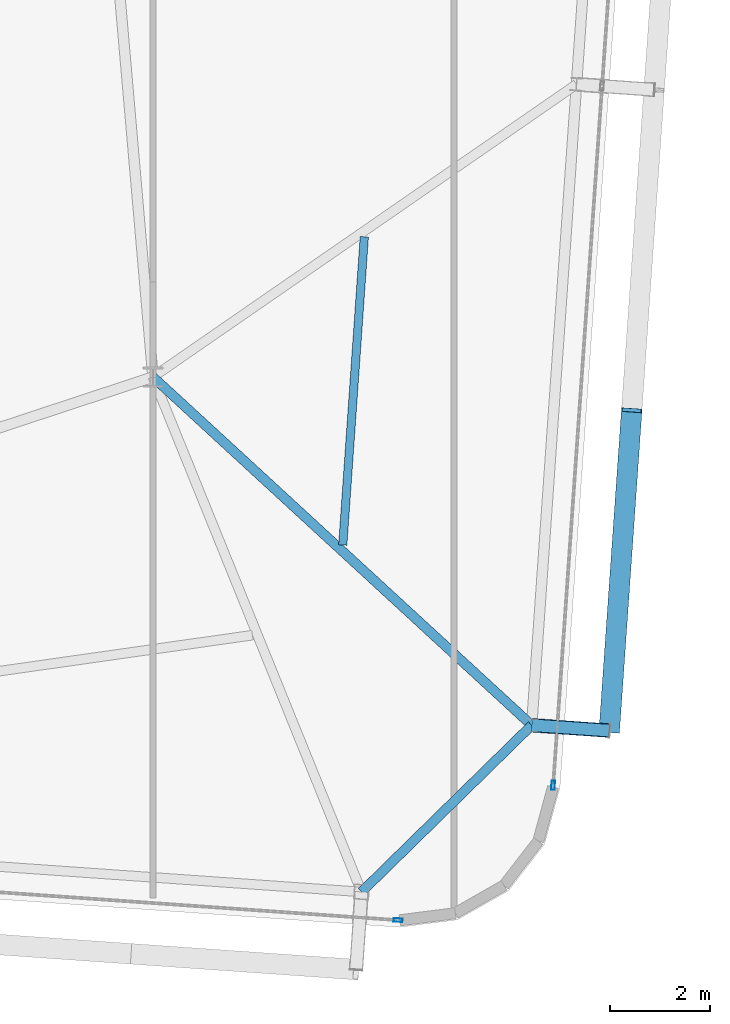
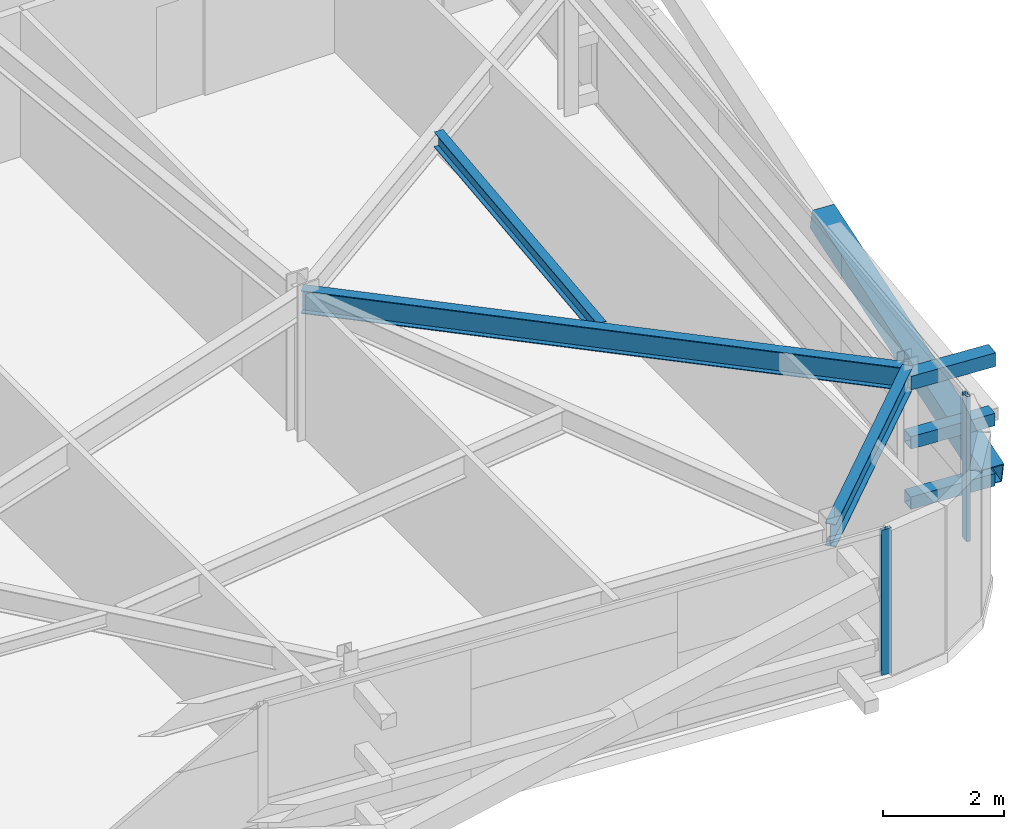
# One storey, part 15 of 39: 6 members, 3 beams, 2 elements without a shape of their own.
"""IFC4 building model written with IfcOpenShell, lengths in metres."""

import ifcopenshell
import ifcopenshell.guid

model = None  # the IFC model being written
_history = None  # IfcOwnerHistory: only IFC2X3 demands one
_inside = {}  # id of a spatial element -> (the spatial element, [elements in it])
_under = {}  # id of a project, library or spatial element -> (it, [spatial elements below it])
_declared = {}  # id of a project -> (the project, [libraries it declares])
_typed = {}  # id of a type object -> (the type object, [elements of that type])
_made_of = {}  # id of a material, layer set ... -> (it, [elements and type objects made of it])


def new_model(schema):
    """Start an empty IFC model of exactly this schema.

    Asked for "IFC4X3", IfcOpenShell would pick the latest addendum, in which some entities
    have other attributes; the version numbers below select the first issue.
    IFC2X3 requires an IfcOwnerHistory on every rooted entity: one is made here for all.
    """
    global model, _history
    if schema == "IFC4X3":
        model = ifcopenshell.file(schema_version=(4, 3, 0, 0))
    else:
        model = ifcopenshell.file(schema=schema)
    _inside.clear()
    _under.clear()
    _declared.clear()
    _typed.clear()
    _made_of.clear()
    _history = None
    if model.schema == "IFC2X3":
        org = make("IfcOrganization", Name="unknown")
        user = make(
            "IfcPersonAndOrganization",
            ThePerson=make("IfcPerson", FamilyName="unknown"),
            TheOrganization=org,
        )
        app = make(
            "IfcApplication",
            ApplicationDeveloper=org,
            Version="unknown",
            ApplicationFullName="unknown",
            ApplicationIdentifier="unknown",
        )
        _history = make(
            "IfcOwnerHistory",
            OwningUser=user,
            OwningApplication=app,
            ChangeAction="ADDED",
            CreationDate=0,
        )
    return model


def make(cls, **values):
    """One entity of the class cls with the attributes given. An attribute that is None is left unset."""
    return model.create_entity(
        cls, **{name: value for name, value in values.items() if value is not None}
    )


def rooted(cls, **values):
    """An entity with a GlobalId (a new one), such as an element, a storey or a relation."""
    return make(cls, GlobalId=ifcopenshell.guid.new(), OwnerHistory=_history, **values)


def si_unit(unit_type, name, prefix=None):
    """IfcSIUnit, for example si_unit("LENGTHUNIT", "METRE", prefix="MILLI")."""
    return make("IfcSIUnit", UnitType=unit_type, Prefix=prefix, Name=name)


def assignment(units):
    """IfcUnitAssignment: the units of a project."""
    return None if units is None else make("IfcUnitAssignment", Units=units)


def point(xyz):
    """IfcCartesianPoint."""
    return None if xyz is None else make("IfcCartesianPoint", Coordinates=xyz)


def direction(xyz):
    """IfcDirection."""
    return None if xyz is None else make("IfcDirection", DirectionRatios=xyz)


def frame(location, z_axis=None, x_axis=None):
    """IfcAxis2Placement3D, a coordinate frame: its origin and axes. An axis left out is left unset."""
    return make(
        "IfcAxis2Placement3D",
        Location=point(location),
        Axis=direction(z_axis),
        RefDirection=direction(x_axis),
    )


def frame_2d(location, x_axis=None):
    """IfcAxis2Placement2D, a coordinate frame in the plane: its origin and x axis."""
    return make(
        "IfcAxis2Placement2D", Location=point(location), RefDirection=direction(x_axis)
    )


def origin():
    """The frame at (0, 0, 0) with its axes left unset."""
    return frame((0.0, 0.0, 0.0))


def origin_2d():
    """The frame at (0, 0) in the plane with its x axis left unset."""
    return frame_2d((0.0, 0.0))


def place(relative_to, where):
    """IfcLocalPlacement: puts the frame where relative to a parent placement (None: the world)."""
    return make(
        "IfcLocalPlacement", PlacementRelTo=relative_to, RelativePlacement=where
    )


def context(
    kind, dimensions, precision=None, world=None, true_north=None, identifier=None
):
    """IfcGeometricRepresentationContext, for example the 3D "Model" context."""
    return make(
        "IfcGeometricRepresentationContext",
        ContextIdentifier=identifier,
        ContextType=kind,
        CoordinateSpaceDimension=dimensions,
        Precision=precision,
        WorldCoordinateSystem=world,
        TrueNorth=true_north,
    )


def subcontext(parent, identifier, kind, view, scale=None):
    """IfcGeometricRepresentationSubContext, for example "Body" below "Model"."""
    return make(
        "IfcGeometricRepresentationSubContext",
        ContextIdentifier=identifier,
        ContextType=kind,
        ParentContext=parent,
        TargetScale=scale,
        TargetView=view,
    )


def project(units=None, contexts=None):
    """IfcProject with its units and contexts."""
    return rooted(
        "IfcProject",
        Name="project",
        RepresentationContexts=contexts,
        UnitsInContext=assignment(units),
    )


def spatial(cls, under=None, at=None, **own):
    """A site, building, storey or space (cls), placed at a placement, below another one or the project."""
    s = rooted(cls, ObjectPlacement=at, **own)
    if under is not None:
        _under.setdefault(under.id(), (under, []))[1].append(s)
    return s


def profile(cls, at=None, kind="AREA", **sizes):
    """A parametric profile (cls). Its sizes go by their IFC names, for example OverallWidth=200.0."""
    return make(cls, ProfileType=kind, Position=at, **sizes)


def hollow_rectangle(**sizes):
    """IfcRectangleHollowProfileDef."""
    return profile("IfcRectangleHollowProfileDef", **sizes)


def i_section(**sizes):
    """IfcIShapeProfileDef."""
    return profile("IfcIShapeProfileDef", **sizes)


def extrude(swept, where, along, depth):
    """IfcExtrudedAreaSolid: the profile swept, set in the frame where, extruded along a direction by depth."""
    return make(
        "IfcExtrudedAreaSolid",
        SweptArea=swept,
        Position=where,
        ExtrudedDirection=direction(along),
        Depth=depth,
    )


def shape(context_of_items, identifier, shape_type, items):
    """IfcShapeRepresentation: the items that make up one representation, for example the "Body"."""
    return make(
        "IfcShapeRepresentation",
        ContextOfItems=context_of_items,
        RepresentationIdentifier=identifier,
        RepresentationType=shape_type,
        Items=items,
    )


def source(mapping_origin, context_of_items, identifier, shape_type, items):
    """IfcRepresentationMap: a shape defined once, which mapped items show again and again."""
    return make(
        "IfcRepresentationMap",
        MappingOrigin=mapping_origin,
        MappedRepresentation=shape(context_of_items, identifier, shape_type, items),
    )


def transform(
    local_origin,
    x_axis=None,
    y_axis=None,
    z_axis=None,
    scale=None,
    scale2=None,
    scale3=None,
    uniform=True,
):
    """IfcCartesianTransformationOperator3D, or its non-uniform kind. x_axis, y_axis, z_axis: its Axis1, 2, 3."""
    if uniform:
        return make(
            "IfcCartesianTransformationOperator3D",
            Axis1=direction(x_axis),
            Axis2=direction(y_axis),
            LocalOrigin=point(local_origin),
            Scale=scale,
            Axis3=direction(z_axis),
        )
    return make(
        "IfcCartesianTransformationOperator3DnonUniform",
        Axis1=direction(x_axis),
        Axis2=direction(y_axis),
        LocalOrigin=point(local_origin),
        Scale=scale,
        Axis3=direction(z_axis),
        Scale2=scale2,
        Scale3=scale3,
    )


def mapped(mapping_source, mapping_target):
    """IfcMappedItem: shows the shape of a source again, moved by a transform."""
    return make(
        "IfcMappedItem", MappingSource=mapping_source, MappingTarget=mapping_target
    )


def material(Name=None, Category=None):
    """IfcMaterial."""
    return make("IfcMaterial", Name=Name, Category=Category)


def layer(
    of_material, thickness, ventilated=None, Name=None, Category=None, Priority=None
):
    """IfcMaterialLayer: one layer of a wall or slab, of a material (None: an air gap)."""
    return make(
        "IfcMaterialLayer",
        Material=of_material,
        LayerThickness=thickness,
        IsVentilated=ventilated,
        Name=Name,
        Category=Category,
        Priority=Priority,
    )


def layer_set(layers, Name=None):
    """IfcMaterialLayerSet."""
    return make("IfcMaterialLayerSet", MaterialLayers=layers, LayerSetName=Name)


def material_profile(
    of_material, cross_section, Name=None, Category=None, Priority=None
):
    """IfcMaterialProfile: a cross section and its material."""
    return make(
        "IfcMaterialProfile",
        Name=Name,
        Material=of_material,
        Profile=cross_section,
        Priority=Priority,
        Category=Category,
    )


def profile_set(profiles, Name=None, composite=None):
    """IfcMaterialProfileSet."""
    return make(
        "IfcMaterialProfileSet",
        Name=Name,
        MaterialProfiles=profiles,
        CompositeProfile=composite,
    )


def made_of(thing, what):
    """Note that an element or type object is made of a material, layer set ...; save() writes the relation."""
    if what is not None:
        _made_of.setdefault(what.id(), (what, []))[1].append(thing)
    return thing


def type_object(cls, material=None, **own):
    """A type object (cls), such as IfcWallType, which elements share."""
    return made_of(rooted(cls, **own), material)


def element(
    cls,
    number,
    at=None,
    inside=None,
    cuts=None,
    type_object=None,
    material=None,
    context=None,
    identifier="Body",
    shape_type=None,
    held_by="IfcProductDefinitionShape",
    body=None,
    shapes=None,
    **own,
):
    """One element of the class cls, such as IfcWall. Its Tag is "e" and its number.

    at: its placement. inside: the storey or other place that contains it. cuts: it is an
    opening in that element (IfcRelVoidsElement). A single representation is given by context,
    identifier, shape_type and body (its items); several are given by shapes. held_by: the class
    of the entity that holds the representations. save() writes the other relations.
    """
    e = rooted(cls, Tag="e%d" % number, ObjectPlacement=at, **own)
    if body is not None:
        shapes = [shape(context, identifier, shape_type, body)]
    if shapes is not None:
        e.Representation = make(held_by, Representations=shapes)
    if inside is not None:
        _inside.setdefault(inside.id(), (inside, []))[1].append(e)
    if cuts is not None:
        rooted(
            "IfcRelVoidsElement", RelatingBuildingElement=cuts, RelatedOpeningElement=e
        )
    if type_object is not None:
        _typed.setdefault(type_object.id(), (type_object, []))[1].append(e)
    return made_of(e, material)


def aggregate(whole, parts):
    """IfcRelAggregates: a whole, such as a stair, and the parts it consists of."""
    return rooted("IfcRelAggregates", RelatingObject=whole, RelatedObjects=parts)


def save(model, path):
    """Write the relations noted so far, then the file.

    IfcRelAggregates (storeys below a building ...), IfcRelContainedInSpatialStructure (elements
    in a storey), IfcRelDefinesByType, IfcRelAssociatesMaterial and IfcRelDeclares: one each for
    every whole, place, type object, material and project.
    """
    for whole, parts in _under.values():
        aggregate(whole, parts)
    for where, things in _inside.values():
        rooted(
            "IfcRelContainedInSpatialStructure",
            RelatedElements=things,
            RelatingStructure=where,
        )
    for kind, things in _typed.values():
        rooted("IfcRelDefinesByType", RelatedObjects=things, RelatingType=kind)
    for what, things in _made_of.values():
        rooted("IfcRelAssociatesMaterial", RelatedObjects=things, RelatingMaterial=what)
    for by, libraries in _declared.values():
        rooted("IfcRelDeclares", RelatingContext=by, RelatedDefinitions=libraries)
    model.write(path)


model = new_model("IFC4")

# Units and contexts
model_context = context("Model", 3, precision=1e-05, world=origin(), true_north=direction((0.0, 1.0)))
body_context = subcontext(model_context, "Body", "Model", "MODEL_VIEW")
ifc_project = project(units=[si_unit("LENGTHUNIT", "METRE"), si_unit("AREAUNIT", "SQUARE_METRE"), si_unit("VOLUMEUNIT", "CUBIC_METRE"), si_unit("PLANEANGLEUNIT", "RADIAN"), si_unit("MASSUNIT", "GRAM", prefix="KILO")], contexts=[model_context])

# Site, building, storey
site_placement = place(None, origin())
site = spatial("IfcSite", under=ifc_project, at=site_placement, CompositionType="ELEMENT")
building_placement = place(site_placement, origin())
building = spatial("IfcBuilding", under=site, at=building_placement, Name="Taldren Reach Tower", CompositionType="ELEMENT")
storey_placement = place(building_placement, frame((0.0, 0.0, 120.39990234375)))
storey = spatial("IfcBuildingStorey", under=building, at=storey_placement, Name="L36", CompositionType="ELEMENT", Elevation=120.39990234375)

# Members
ifc_material_1 = material(Name="Steel Gr 450 (C450L0)", Category="steel")
ifc_material_profile_1 = material_profile(ifc_material_1, hollow_rectangle(XDim=0.27490234375, YDim=0.27490234375, WallThickness=0.00927734375, at=origin_2d()), Name="275x275x9.3SHS")
ifc_profile_set_1 = profile_set([ifc_material_profile_1], Name="Steel Gr 450 (C450L0)")
member_type_1 = type_object("IfcMemberType", Name="MB-TIE273", PredefinedType="STRUT", material=ifc_profile_set_1)
shared_shape_1 = source(origin(), body_context, "Body", "SweptSolid", [
    extrude(hollow_rectangle(XDim=0.27490234375, YDim=0.27490234375, WallThickness=0.00927734375, at=origin_2d()), origin(), (0.0, 0.0, 1.0), 1.5498046875),
])
member_1_placement = place(storey_placement, frame((59.54541015625, 5.562744140625, 2.650146484375), z_axis=(0.997573320145, -0.069623781384, 0.0), x_axis=(0.069623781384, 0.997573320145, 0.0)))
element("IfcMember", 1, at=member_1_placement, inside=storey, type_object=member_type_1, Name="Exoskeleton diaphragm tie strut B3-E1 L36", PredefinedType="STRUT", context=body_context, shape_type="MappedRepresentation", body=[
    mapped(shared_shape_1, transform((0.0, 0.0, 0.0), scale=1.0)),
])
ifc_material_2 = material(Name="Steel Gr 350 (C350L0)", Category="steel")
ifc_material_profile_2 = material_profile(ifc_material_2, hollow_rectangle(XDim=0.25, YDim=0.25, WallThickness=0.010009765625, at=origin_2d()), Name="250x250x10.0SHS")
ifc_profile_set_2 = profile_set([ifc_material_profile_2], Name="Steel Gr 350 (C350L0)")
member_type_2 = type_object("IfcMemberType", Name="MB-POST250", PredefinedType="POST", material=ifc_profile_set_2)
shared_shape_2 = source(origin(), body_context, "Body", "SweptSolid", [
    extrude(hollow_rectangle(XDim=0.25, YDim=0.25, WallThickness=0.010009765625, at=origin_2d()), origin(), (0.0, 0.0, 1.0), 1.5498046875),
])
for number, where, z_axis, x_axis, name in (
    (2, (59.54541015625, 5.562744140625, 0.22021484375), (0.997573320145, -0.069623781384, 0.0), (0.069623781384, 0.997573320145, 0.0), "Exoskeleton base diaphragm tie strut B3-E1 L36"),
    (3, (59.54541015625, 5.562744140625, 1.43505859375), (0.997573320145, -0.069623781384, 0.0), (0.069623781384, 0.997573320145, 0.0), "Exoskeleton mid-tier diaphragm tie B3-E1 L36"),
):
    element("IfcMember", number, at=place(storey_placement, frame(where, z_axis=z_axis, x_axis=x_axis)), inside=storey, type_object=member_type_2, Name=name, PredefinedType="POST", context=body_context, shape_type="MappedRepresentation", body=[
        mapped(shared_shape_2, transform((0.0, 0.0, 0.0), scale=1.0)),
    ])

# Beams
ifc_material_3 = material(Name="Steel Gr 350 (350PLUS)", Category="steel")
ifc_material_profile_3 = material_profile(ifc_material_3, i_section(OverallWidth=0.18994140625, OverallDepth=0.4541015625, WebThickness=0.008544921875, FlangeThickness=0.0126953125, at=origin_2d()), Name="460UB67.1")
ifc_profile_set_3 = profile_set([ifc_material_profile_3], Name="Steel Gr 350 (350PLUS)")
beam_type_1 = type_object("IfcBeamType", Name="SP-UB460B", PredefinedType="SPANDREL", material=ifc_profile_set_3)
shared_shape_3 = source(origin(), body_context, "Body", "SweptSolid", [
    extrude(i_section(OverallWidth=0.18994140625, OverallDepth=0.4541015625, WebThickness=0.008544921875, FlangeThickness=0.0126953125, at=origin_2d()), origin(), (0.0, 0.0, 1.0), 4.745849609375),
])
beam_1_placement = place(storey_placement, frame((56.155517578125, 2.2412109375, 2.703125), z_axis=(0.714271982806, 0.699868226581, 0.0), x_axis=(-0.699868226581, 0.714271982806, 0.0)))
element("IfcBeam", 4, at=beam_1_placement, inside=storey, type_object=beam_type_1, Name="Perimeter spandrel B3 S6-E1 L36", PredefinedType="SPANDREL", context=body_context, shape_type="MappedRepresentation", body=[
    mapped(shared_shape_3, transform((0.0, 0.0, 0.0), scale=1.0)),
])
ifc_material_profile_4 = material_profile(ifc_material_3, i_section(OverallWidth=0.19091796875, OverallDepth=0.4599609375, WebThickness=0.010009765625, FlangeThickness=0.01611328125, at=origin_2d()), Name="460UB82.1")
ifc_profile_set_4 = profile_set([ifc_material_profile_4], Name="Steel Gr 350 (350PLUS)")
beam_type_2 = type_object("IfcBeamType", Name="BM-UB460A", PredefinedType="BEAM", material=ifc_profile_set_4)
shared_shape_4 = source(origin(), body_context, "Body", "SweptSolid", [
    extrude(i_section(OverallWidth=0.19091796875, OverallDepth=0.4599609375, WebThickness=0.010009765625, FlangeThickness=0.01611328125, at=origin_2d()), origin(), (0.0, 0.0, 1.0), 10.249755859375),
])
beam_2_placement = place(storey_placement, frame((52.0, 12.5, 2.7001953125), z_axis=(0.736150772628, -0.676817582483, 0.0), x_axis=(0.676817582483, 0.736150772628, 0.0)))
element("IfcBeam", 5, at=beam_2_placement, inside=storey, type_object=beam_type_2, Name="Primary floor girder B3-E1 L36", PredefinedType="BEAM", context=body_context, shape_type="MappedRepresentation", body=[
    mapped(shared_shape_4, transform((0.0, 0.0, 0.0), scale=1.0)),
])
ifc_material_4 = material(Name="Steel Gr 300 (300PLUS, 300 MPa)", Category="steel")
ifc_material_profile_5 = material_profile(ifc_material_4, i_section(OverallWidth=0.166015625, OverallDepth=0.306884765625, WebThickness=0.006591796875, FlangeThickness=0.01171875, at=origin_2d()), Name="310UB46.2")
ifc_profile_set_5 = profile_set([ifc_material_profile_5], Name="Steel Gr 300 (300PLUS, 300 MPa)")
beam_type_3 = type_object("IfcBeamType", Name="JS-UB310", PredefinedType="JOIST", material=ifc_profile_set_5)
shared_shape_5 = source(origin(), body_context, "Body", "SweptSolid", [
    extrude(i_section(OverallWidth=0.166015625, OverallDepth=0.306884765625, WebThickness=0.006591796875, FlangeThickness=0.01171875, at=origin_2d()), origin(), (0.0, 0.0, 1.0), 6.155517578125),
])
beam_3_placement = place(storey_placement, frame((55.78125, 9.1533203125, 2.776611328125), z_axis=(0.069764400024, 0.997563495969, 0.0), x_axis=(-0.997563495969, 0.069764400024, 0.0)))
element("IfcBeam", 6, at=beam_3_placement, inside=storey, type_object=beam_type_3, Name="Secondary floor joist B3 J7 L36", PredefinedType="JOIST", context=body_context, shape_type="MappedRepresentation", body=[
    mapped(shared_shape_5, transform((0.0, 0.0, 0.0), scale=1.0)),
])

# Member
ifc_material_profile_6 = material_profile(ifc_material_1, hollow_rectangle(XDim=0.409912109375, YDim=0.409912109375, WallThickness=0.01611328125, at=origin_2d()), Name="410x410x16.0SHS")
ifc_profile_set_6 = profile_set([ifc_material_profile_6], Name="Steel Gr 450 (C450L0)")
member_type_3 = type_object("IfcMemberType", Name="MB-EXO406", PredefinedType="BRACE", material=ifc_profile_set_6)
shared_shape_6 = source(origin(), body_context, "Body", "SweptSolid", [
    extrude(hollow_rectangle(XDim=0.409912109375, YDim=0.409912109375, WallThickness=0.01611328125, at=origin_2d()), origin(), (0.0, 0.0, 1.0), 6.51416015625),
])
member_2_placement = place(storey_placement, frame((61.091552734375, 5.454833984375, 0.22021484375), z_axis=(0.068548123702, 0.980062020128, 0.186492872358), x_axis=(-0.997562951496, 0.069772185021, 0.0)))
element("IfcMember", 7, at=member_2_placement, inside=storey, type_object=member_type_3, Name="Exoskeleton Diagrid Brace B3-E1 L36", PredefinedType="BRACE", context=body_context, shape_type="MappedRepresentation", body=[
    mapped(shared_shape_6, transform((0.0, 0.0, 0.0), scale=1.0)),
])

# Curtain wall, member
ifc_material_5 = material(Name="Aluminium and Low-E Glass Unitised System", Category="aluminium")
ifc_layer = layer(ifc_material_5, 0.159912109375)
ifc_layer_set = layer_set([ifc_layer], Name="Aluminium and Low-E Glass Unitised System")
curtain_wall_type = type_object("IfcCurtainWallType", Name="CW-SYS-4", PredefinedType="NOTDEFINED", material=ifc_layer_set)
curtain_wall_1_placement = place(storey_placement, origin())
curtain_wall_1 = element("IfcCurtainWall", 8, at=curtain_wall_1_placement, inside=storey, type_object=curtain_wall_type, Name="Unitised curtain wall CW-L36-S", PredefinedType="NOTDEFINED")
ifc_material_6 = material(Name="Anodised Aluminium 6063-T6", Category="aluminium")
ifc_material_profile_7 = material_profile(ifc_material_6, hollow_rectangle(XDim=0.070068359375, YDim=0.179931640625, WallThickness=0.00390625, at=origin_2d()), Name="ALU-180x70x4RHS")
ifc_profile_set_7 = profile_set([ifc_material_profile_7], Name="Anodised Aluminium 6063-T6")
member_type_4 = type_object("IfcMemberType", Name="CW-MUL-180", PredefinedType="MULLION", material=ifc_profile_set_7)
shared_shape_7 = source(origin(), body_context, "Body", "SweptSolid", [
    extrude(hollow_rectangle(XDim=0.070068359375, YDim=0.179931640625, WallThickness=0.00390625, at=origin_2d()), origin(), (0.0, 0.0, 1.0), 2.93017578125),
])
member_3_placement = place(storey_placement, frame((56.883056640625, 1.67919921875, 0.0), z_axis=(0.0, 0.0, 1.0), x_axis=(0.06975651593, 0.99756404731, 0.0)))
member_3 = element("IfcMember", 9, at=member_3_placement, type_object=member_type_4, Name="CW-4 mullion 5", PredefinedType="MULLION", context=body_context, shape_type="MappedRepresentation", body=[
    mapped(shared_shape_7, transform((0.0, 0.0, 0.0), scale=1.0)),
])
aggregate(curtain_wall_1, [member_3])

curtain_wall_2_placement = place(storey_placement, origin())
curtain_wall_2 = element("IfcCurtainWall", 10, at=curtain_wall_2_placement, inside=storey, type_object=curtain_wall_type, Name="Unitised curtain wall CW-L36-E", PredefinedType="NOTDEFINED")
member_4_placement = place(storey_placement, frame((59.972900390625, 4.365234375, 0.0), z_axis=(0.0, 0.0, 1.0), x_axis=(-0.997564052812, 0.069756437251, 0.0)))
member_4 = element("IfcMember", 11, at=member_4_placement, type_object=member_type_4, Name="CW-4 mullion 1", PredefinedType="MULLION", context=body_context, shape_type="MappedRepresentation", body=[
    mapped(shared_shape_7, transform((0.0, 0.0, 0.0), scale=1.0)),
])
aggregate(curtain_wall_2, [member_4])

save(model, "model.ifc")
